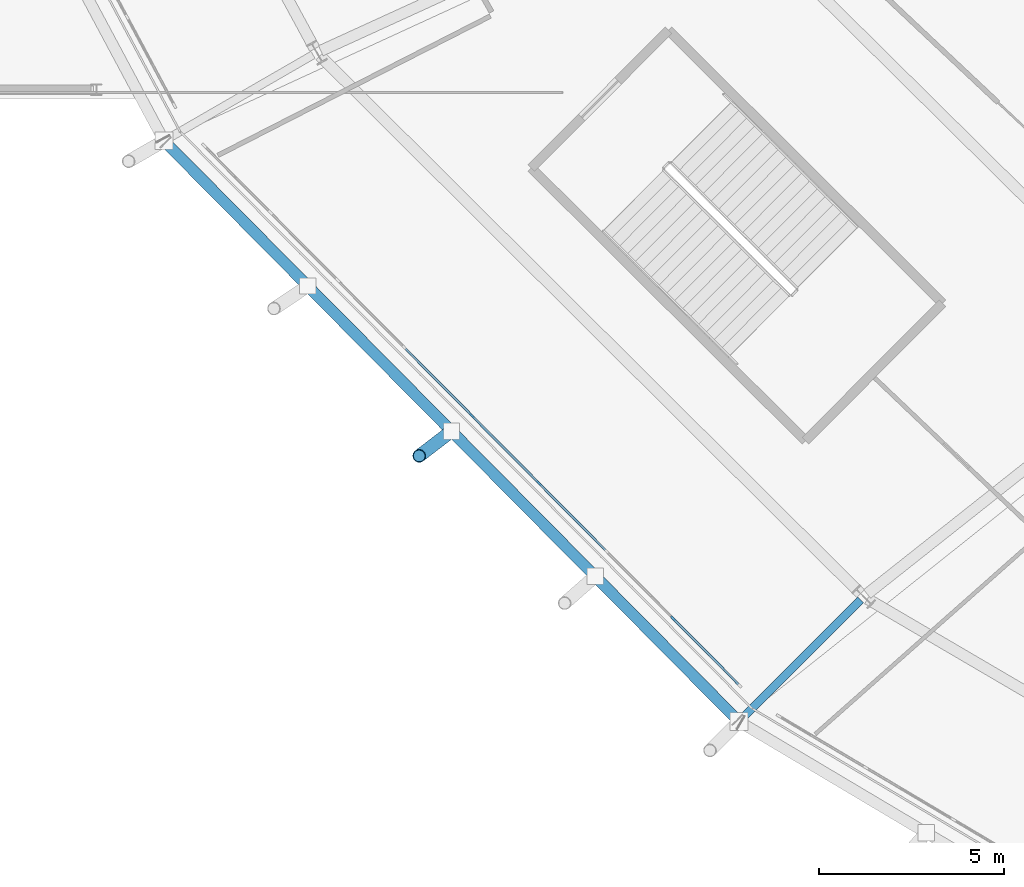
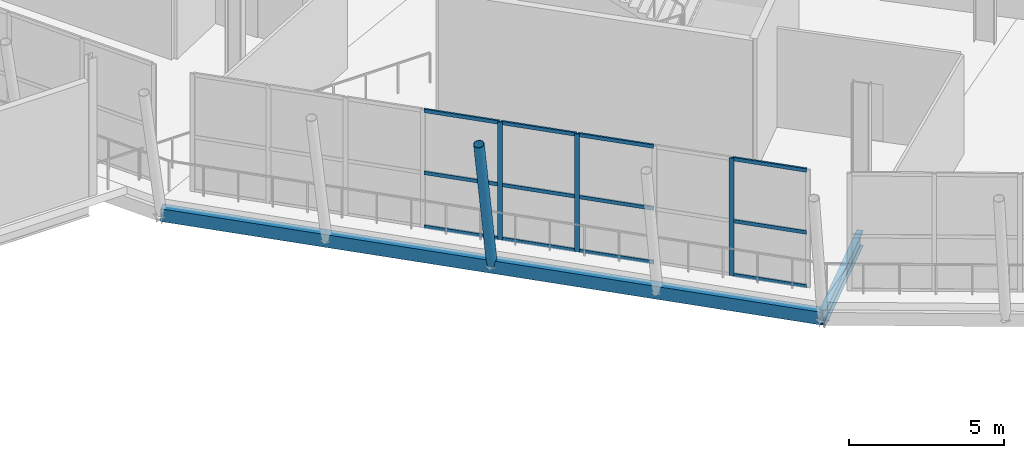
# One storey, part 13 of 126: 16 members, 2 beams, 1 element without a shape of its own.
"""IFC4 building model written with IfcOpenShell, lengths in metres."""

from ifc_helpers import new_model, si_unit, direction, frame, origin, origin_2d, place, context, subcontext, project, spatial, rectangle, hollow_rectangle, hollow_circle, i_section, extrude, material, material_profile, profile_set, type_object, element, aggregate, save


model = new_model("IFC4")

# Units and contexts
model_context = context("Model", 3, precision=1e-05, world=origin(), true_north=direction((0.0, 1.0)))
body_context = subcontext(model_context, "Body", "Model", "MODEL_VIEW")
ifc_project = project(units=[si_unit("LENGTHUNIT", "METRE"), si_unit("AREAUNIT", "SQUARE_METRE"), si_unit("VOLUMEUNIT", "CUBIC_METRE"), si_unit("PLANEANGLEUNIT", "RADIAN"), si_unit("MASSUNIT", "GRAM", prefix="KILO")], contexts=[model_context])

# Site, building, storey
site_placement = place(None, origin())
site = spatial("IfcSite", under=ifc_project, at=site_placement, CompositionType="ELEMENT")
building_placement = place(site_placement, origin())
building = spatial("IfcBuilding", under=site, at=building_placement, Name="Zlatoyarsky Gate Stadium", CompositionType="ELEMENT")
storey_placement = place(building_placement, frame((0.0, 0.0, 20.800048828125)))
storey = spatial("IfcBuildingStorey", under=building, at=storey_placement, Name="L04", CompositionType="ELEMENT", Elevation=20.800048828125)

# Curtain wall, members
ifc_material_1 = material(Name="Thermally broken anodised aluminium curtain wall", Category="aluminium")
curtain_wall_type = type_object("IfcCurtainWallType", Name="UNITISED MEDIA RING GLAZING L04", PredefinedType="USERDEFINED", material=ifc_material_1)
curtain_wall_placement = place(storey_placement, origin())
curtain_wall = element("IfcCurtainWall", 1, at=curtain_wall_placement, inside=storey, type_object=curtain_wall_type, Name="Curtain wall CW-L04-14", ObjectType="UNITISED GLAZING", PredefinedType="USERDEFINED")
ifc_material_2 = material(Name="Anodised aluminium 6063-T6", Category="aluminium")
ifc_material_profile_1 = material_profile(ifc_material_2, rectangle(XDim=0.06494140625, YDim=0.159912109375, at=origin_2d()), Name="ALU 65X160")
ifc_profile_set_1 = profile_set([ifc_material_profile_1], Name="Anodised aluminium 6063-T6")
member_type_1 = type_object("IfcMemberType", Name="ALUMINIUM MULLION 65X160", PredefinedType="MULLION", material=ifc_profile_set_1)
member_1_placement = place(storey_placement, frame((34.6484375, 34.69140625, 0.0), z_axis=(0.0, 0.0, 1.0), x_axis=(0.709870536386, 0.704332181269, 0.0)))
member_1 = element("IfcMember", 2, at=member_1_placement, type_object=member_type_1, Name="CW-UG4 mullion 5", PredefinedType="MULLION", context=body_context, shape_type="SweptSolid", body=[
    extrude(rectangle(XDim=0.06494140625, YDim=0.159912109375, at=origin_2d()), origin(), (0.0, 0.0, 1.0), 4.619873046875),
])
member_2_placement = place(storey_placement, frame((36.462158203125, 32.863525390625, 0.0), z_axis=(0.0, 0.0, 1.0), x_axis=(0.709870536386, 0.704332181269, 0.0)))
member_2 = element("IfcMember", 3, at=member_2_placement, type_object=member_type_1, Name="CW-UG4 mullion 6", PredefinedType="MULLION", context=body_context, shape_type="SweptSolid", body=[
    extrude(rectangle(XDim=0.06494140625, YDim=0.159912109375, at=origin_2d()), origin(), (0.0, 0.0, 1.0), 4.619873046875),
])
member_3_placement = place(storey_placement, frame((40.08984375, 29.207275390625, 0.0), z_axis=(0.0, 0.0, 1.0), x_axis=(0.709870536386, 0.704332181269, 0.0)))
member_3 = element("IfcMember", 4, at=member_3_placement, type_object=member_type_1, Name="CW-UG4 mullion 8", PredefinedType="MULLION", context=body_context, shape_type="SweptSolid", body=[
    extrude(rectangle(XDim=0.06494140625, YDim=0.159912109375, at=origin_2d()), origin(), (0.0, 0.0, 1.0), 4.619873046875),
])
ifc_material_profile_2 = material_profile(ifc_material_2, rectangle(XDim=0.06494140625, YDim=0.139892578125, at=origin_2d()), Name="ALU 65X140")
ifc_profile_set_2 = profile_set([ifc_material_profile_2], Name="Anodised aluminium 6063-T6")
member_type_2 = type_object("IfcMemberType", Name="ALUMINIUM TRANSOM 65X140", PredefinedType="USERDEFINED", material=ifc_profile_set_2)
member_4_placement = place(storey_placement, frame((32.857421875, 36.49658203125, 0.032470703125), z_axis=(0.70432954627, -0.709873150818, 0.0), x_axis=(0.709873150818, 0.70432954627, 0.0)))
member_4 = element("IfcMember", 5, at=member_4_placement, type_object=member_type_2, Name="CW-UG4 transom 4.1", ObjectType="TRANSOM", PredefinedType="USERDEFINED", context=body_context, shape_type="SweptSolid", body=[
    extrude(rectangle(XDim=0.06494140625, YDim=0.139892578125, at=origin_2d()), origin(), (0.0, 0.0, 1.0), 2.51025390625),
])
member_5_placement = place(storey_placement, frame((32.857421875, 36.49658203125, 2.14990234375), z_axis=(0.70432954627, -0.709873150818, 0.0), x_axis=(0.709873150818, 0.70432954627, 0.0)))
member_5 = element("IfcMember", 6, at=member_5_placement, type_object=member_type_2, Name="CW-UG4 transom 4.2", ObjectType="TRANSOM", PredefinedType="USERDEFINED", context=body_context, shape_type="SweptSolid", body=[
    extrude(rectangle(XDim=0.06494140625, YDim=0.139892578125, at=origin_2d()), origin(), (0.0, 0.0, 1.0), 2.51025390625),
])
member_6_placement = place(storey_placement, frame((32.857421875, 36.49658203125, 4.58740234375), z_axis=(0.70432954627, -0.709873150818, 0.0), x_axis=(0.709873150818, 0.70432954627, 0.0)))
member_6 = element("IfcMember", 7, at=member_6_placement, type_object=member_type_2, Name="CW-UG4 transom 4.3", ObjectType="TRANSOM", PredefinedType="USERDEFINED", context=body_context, shape_type="SweptSolid", body=[
    extrude(rectangle(XDim=0.06494140625, YDim=0.139892578125, at=origin_2d()), origin(), (0.0, 0.0, 1.0), 2.51025390625),
])
member_7_placement = place(storey_placement, frame((34.671142578125, 34.66845703125, 0.032470703125), z_axis=(0.70432954627, -0.709873150818, 0.0), x_axis=(0.709873150818, 0.70432954627, 0.0)))
member_7 = element("IfcMember", 8, at=member_7_placement, type_object=member_type_2, Name="CW-UG4 transom 5.1", ObjectType="TRANSOM", PredefinedType="USERDEFINED", context=body_context, shape_type="SweptSolid", body=[
    extrude(rectangle(XDim=0.06494140625, YDim=0.139892578125, at=origin_2d()), origin(), (0.0, 0.0, 1.0), 2.51025390625),
])
member_8_placement = place(storey_placement, frame((34.671142578125, 34.66845703125, 2.14990234375), z_axis=(0.70432954627, -0.709873150818, 0.0), x_axis=(0.709873150818, 0.70432954627, 0.0)))
member_8 = element("IfcMember", 9, at=member_8_placement, type_object=member_type_2, Name="CW-UG4 transom 5.2", ObjectType="TRANSOM", PredefinedType="USERDEFINED", context=body_context, shape_type="SweptSolid", body=[
    extrude(rectangle(XDim=0.06494140625, YDim=0.139892578125, at=origin_2d()), origin(), (0.0, 0.0, 1.0), 2.51025390625),
])
member_9_placement = place(storey_placement, frame((34.671142578125, 34.66845703125, 4.58740234375), z_axis=(0.70432954627, -0.709873150818, 0.0), x_axis=(0.709873150818, 0.70432954627, 0.0)))
member_9 = element("IfcMember", 10, at=member_9_placement, type_object=member_type_2, Name="CW-UG4 transom 5.3", ObjectType="TRANSOM", PredefinedType="USERDEFINED", context=body_context, shape_type="SweptSolid", body=[
    extrude(rectangle(XDim=0.06494140625, YDim=0.139892578125, at=origin_2d()), origin(), (0.0, 0.0, 1.0), 2.51025390625),
])
member_10_placement = place(storey_placement, frame((36.485107421875, 32.84033203125, 0.032470703125), z_axis=(0.70432954627, -0.709873150818, 0.0), x_axis=(0.709873150818, 0.70432954627, 0.0)))
member_10 = element("IfcMember", 11, at=member_10_placement, type_object=member_type_2, Name="CW-UG4 transom 6.1", ObjectType="TRANSOM", PredefinedType="USERDEFINED", context=body_context, shape_type="SweptSolid", body=[
    extrude(rectangle(XDim=0.06494140625, YDim=0.139892578125, at=origin_2d()), origin(), (0.0, 0.0, 1.0), 2.51025390625),
])
member_11_placement = place(storey_placement, frame((36.485107421875, 32.84033203125, 2.14990234375), z_axis=(0.70432954627, -0.709873150818, 0.0), x_axis=(0.709873150818, 0.70432954627, 0.0)))
member_11 = element("IfcMember", 12, at=member_11_placement, type_object=member_type_2, Name="CW-UG4 transom 6.2", ObjectType="TRANSOM", PredefinedType="USERDEFINED", context=body_context, shape_type="SweptSolid", body=[
    extrude(rectangle(XDim=0.06494140625, YDim=0.139892578125, at=origin_2d()), origin(), (0.0, 0.0, 1.0), 2.51025390625),
])
member_12_placement = place(storey_placement, frame((36.485107421875, 32.84033203125, 4.58740234375), z_axis=(0.70432954627, -0.709873150818, 0.0), x_axis=(0.709873150818, 0.70432954627, 0.0)))
member_12 = element("IfcMember", 13, at=member_12_placement, type_object=member_type_2, Name="CW-UG4 transom 6.3", ObjectType="TRANSOM", PredefinedType="USERDEFINED", context=body_context, shape_type="SweptSolid", body=[
    extrude(rectangle(XDim=0.06494140625, YDim=0.139892578125, at=origin_2d()), origin(), (0.0, 0.0, 1.0), 2.51025390625),
])
member_13_placement = place(storey_placement, frame((40.11279296875, 29.184326171875, 0.032470703125), z_axis=(0.704293097674, -0.709909312919, 0.0), x_axis=(0.709909312919, 0.704293097674, 0.0)))
member_13 = element("IfcMember", 14, at=member_13_placement, type_object=member_type_2, Name="CW-UG4 transom 8.1", ObjectType="TRANSOM", PredefinedType="USERDEFINED", context=body_context, shape_type="SweptSolid", body=[
    extrude(rectangle(XDim=0.06494140625, YDim=0.139892578125, at=origin_2d()), origin(), (0.0, 0.0, 1.0), 2.477783203125),
])
member_14_placement = place(storey_placement, frame((40.11279296875, 29.184326171875, 2.14990234375), z_axis=(0.704293097674, -0.709909312919, 0.0), x_axis=(0.709909312919, 0.704293097674, 0.0)))
member_14 = element("IfcMember", 15, at=member_14_placement, type_object=member_type_2, Name="CW-UG4 transom 8.2", ObjectType="TRANSOM", PredefinedType="USERDEFINED", context=body_context, shape_type="SweptSolid", body=[
    extrude(rectangle(XDim=0.06494140625, YDim=0.139892578125, at=origin_2d()), origin(), (0.0, 0.0, 1.0), 2.477783203125),
])
member_15_placement = place(storey_placement, frame((40.11279296875, 29.184326171875, 4.58740234375), z_axis=(0.704293097674, -0.709909312919, 0.0), x_axis=(0.709909312919, 0.704293097674, 0.0)))
member_15 = element("IfcMember", 16, at=member_15_placement, type_object=member_type_2, Name="CW-UG4 transom 8.3", ObjectType="TRANSOM", PredefinedType="USERDEFINED", context=body_context, shape_type="SweptSolid", body=[
    extrude(rectangle(XDim=0.06494140625, YDim=0.139892578125, at=origin_2d()), origin(), (0.0, 0.0, 1.0), 2.477783203125),
])
aggregate(curtain_wall, [member_1, member_2, member_3, member_4, member_5, member_6, member_7, member_8, member_9, member_10, member_11, member_12, member_13, member_14, member_15])

# Beam
ifc_material_3 = material(Name="Steel S355", Category="steel")
ifc_material_profile_3 = material_profile(ifc_material_3, i_section(OverallWidth=0.219970703125, OverallDepth=0.60009765625, WebThickness=0.011962890625, FlangeThickness=0.01904296875, FilletRadius=0.02392578125, at=origin_2d()), Name="IPE 600")
ifc_profile_set_3 = profile_set([ifc_material_profile_3], Name="Steel S355")
beam_type_1 = type_object("IfcBeamType", Name="STEEL CANTILEVER FLOOR BEAM IPE 600", PredefinedType="BEAM", material=ifc_profile_set_3)
beam_1_placement = place(storey_placement, frame((45.154296875, 29.71044921875, -0.60009765625), z_axis=(-0.707133034989, -0.70708052641, 0.0), x_axis=(0.70708052641, -0.707133034989, 0.0)))
element("IfcBeam", 17, at=beam_1_placement, inside=storey, type_object=beam_type_1, Name="Beam B-IPE600 BM-L04-OUT-15", PredefinedType="BEAM", context=body_context, shape_type="SweptSolid", body=[
    extrude(i_section(OverallWidth=0.219970703125, OverallDepth=0.60009765625, WebThickness=0.011962890625, FlangeThickness=0.01904296875, FilletRadius=0.02392578125, at=origin_2d()), origin(), (0.0, 0.0, 1.0), 4.649658203125),
])

# Member
ifc_material_profile_4 = material_profile(ifc_material_3, hollow_circle(Radius=0.177734375, WallThickness=0.02001953125, at=origin_2d()), Name="CHS 355.6X20")
ifc_profile_set_4 = profile_set([ifc_material_profile_4], Name="Steel S355")
member_type_3 = type_object("IfcMemberType", Name="STEEL LEANING RIB RING STRUT CHS 355.6X20", PredefinedType="STRUT", material=ifc_profile_set_4)
member_16_placement = place(storey_placement, frame((34.097900390625, 34.26904296875, -0.550048828125), z_axis=(-0.157133721852, -0.120533706012, 0.980194174219), x_axis=(0.608636710057, -0.793449024936, 0.0)))
element("IfcMember", 18, at=member_16_placement, inside=storey, type_object=member_type_3, Name="Outward-leaning bowl louvre fin rib L04 14-2", PredefinedType="STRUT", context=body_context, shape_type="SweptSolid", body=[
    extrude(hollow_circle(Radius=0.177734375, WallThickness=0.02001953125, at=origin_2d()), origin(), (0.0, 0.0, 1.0), 5.5498046875),
])

# Beam
ifc_material_profile_5 = material_profile(ifc_material_3, hollow_rectangle(XDim=0.300048828125, YDim=0.5, WallThickness=0.02001953125, at=origin_2d()), Name="RHS 500X300X20")
ifc_profile_set_5 = profile_set([ifc_material_profile_5], Name="Steel S355")
beam_type_2 = type_object("IfcBeamType", Name="STEEL LOUVRE CARRIER SPANDREL RHS 500X300X20", PredefinedType="SPANDREL", material=ifc_profile_set_5)
beam_2_placement = place(storey_placement, frame((26.343017578125, 42.10107421875, -0.550048828125), z_axis=(0.70358710683, -0.710609022672, 0.0), x_axis=(0.710609022672, 0.70358710683, 0.0)))
element("IfcBeam", 19, at=beam_2_placement, inside=storey, type_object=beam_type_2, Name="Beam SP-RHS500 BM-L04-SPD-14", PredefinedType="SPANDREL", context=body_context, shape_type="SweptSolid", body=[
    extrude(hollow_rectangle(XDim=0.300048828125, YDim=0.5, WallThickness=0.02001953125, at=origin_2d()), origin(), (0.0, 0.0, 1.0), 22.043212890625),
])

save(model, "model.ifc")
